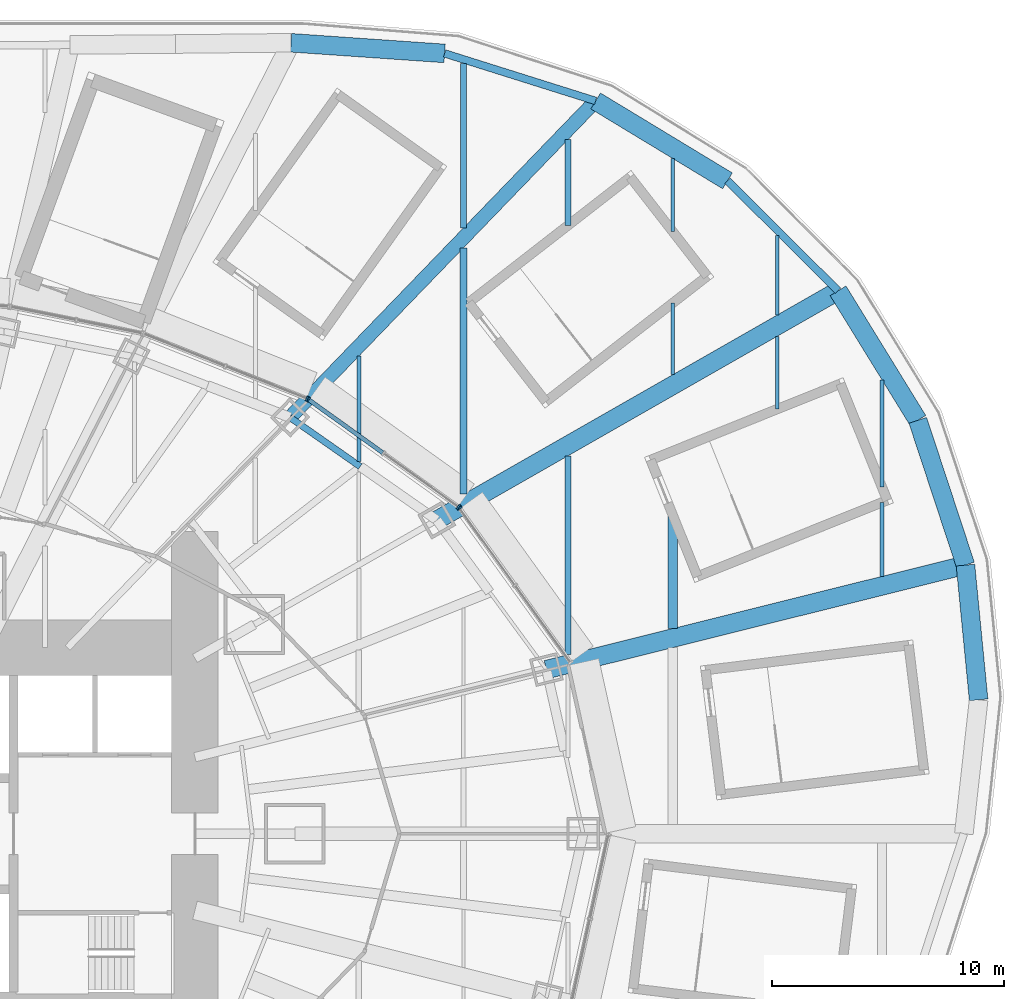
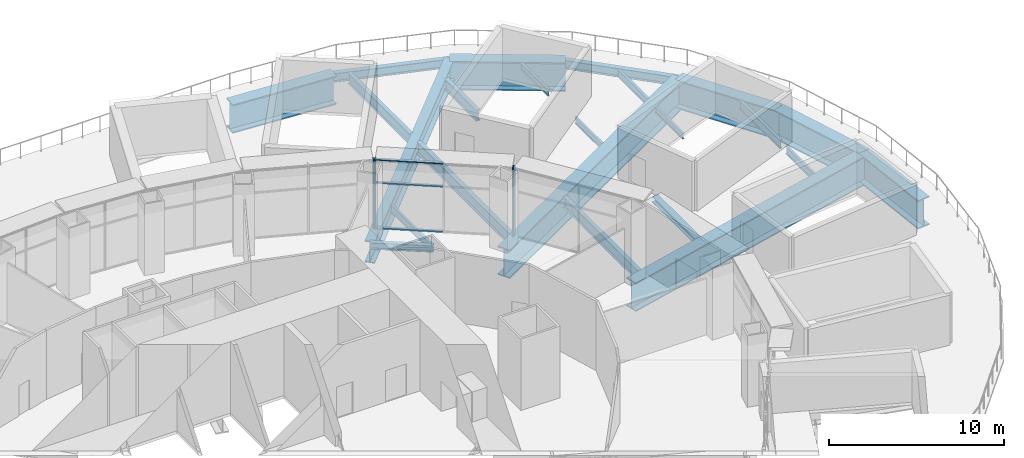
# One storey, part 12 of 25: 23 beams, 7 members, 3 elements without a shape of their own.
"""IFC4 building model written with IfcOpenShell, lengths in metres."""

from ifc_helpers import new_model, si_unit, direction, frame, origin, origin_2d, place, context, subcontext, project, spatial, rectangle, i_section, extrude, material, material_profile, profile_set, type_object, element, aggregate, save


model = new_model("IFC4")

# Units and contexts
model_context = context("Model", 3, precision=1e-05, world=origin(), true_north=direction((0.0, 1.0)))
body_context = subcontext(model_context, "Body", "Model", "MODEL_VIEW")
ifc_project = project(units=[si_unit("LENGTHUNIT", "METRE"), si_unit("AREAUNIT", "SQUARE_METRE"), si_unit("VOLUMEUNIT", "CUBIC_METRE"), si_unit("PLANEANGLEUNIT", "RADIAN"), si_unit("MASSUNIT", "GRAM", prefix="KILO")], contexts=[model_context])

# Site, building, storey
site_placement = place(None, origin())
site = spatial("IfcSite", under=ifc_project, at=site_placement, CompositionType="ELEMENT")
building_placement = place(site_placement, origin())
building = spatial("IfcBuilding", under=site, at=building_placement, Name="Lantaw Convention Tower", CompositionType="ELEMENT")
storey_placement = place(building_placement, frame((0.0, 0.0, 32.0)))
storey = spatial("IfcBuildingStorey", under=building, at=storey_placement, Name="L05", CompositionType="ELEMENT", Elevation=32.0)

# Beams
ifc_material_1 = material(Name="Steel ASTM A572 Grade 50", Category="steel")
ifc_material_profile_1 = material_profile(ifc_material_1, i_section(OverallWidth=0.800048828125, OverallDepth=2.0, WebThickness=0.030029296875, FlangeThickness=0.080078125, at=origin_2d()), Name="PG2000X800X30X80")
ifc_profile_set_1 = profile_set([ifc_material_profile_1], Name="Steel ASTM A572 Grade 50")
beam_type_1 = type_object("IfcBeamType", Name="Beam E PG2000X800X30X80", PredefinedType="SPANDREL", material=ifc_profile_set_1)
beam_1_placement = place(storey_placement, frame((46.907958984375, 5.759521484375, -1.199951171875), z_axis=(-0.097112121047, 0.995273447825, 0.0), x_axis=(-0.995273447825, -0.097112121047, 0.0)))
element("IfcBeam", 1, at=beam_1_placement, inside=storey, type_object=beam_type_1, Name="Podium edge beam B00", PredefinedType="SPANDREL", context=body_context, shape_type="SweptSolid", body=[
    extrude(i_section(OverallWidth=0.800048828125, OverallDepth=2.0, WebThickness=0.030029296875, FlangeThickness=0.080078125, at=origin_2d()), origin(), (0.0, 0.0, 1.0), 5.822509765625),
])
beam_2_placement = place(storey_placement, frame((46.342529296875, 11.554443359375, -1.199951171875), z_axis=(-0.312739573604, 0.949838912186, 0.0), x_axis=(-0.949838912186, -0.312739573604, 0.0)))
element("IfcBeam", 2, at=beam_2_placement, inside=storey, type_object=beam_type_1, Name="Podium edge beam R01", PredefinedType="SPANDREL", context=body_context, shape_type="SweptSolid", body=[
    extrude(i_section(OverallWidth=0.800048828125, OverallDepth=2.0, WebThickness=0.030029296875, FlangeThickness=0.080078125, at=origin_2d()), origin(), (0.0, 0.0, 1.0), 6.55517578125),
])
beam_3_placement = place(storey_placement, frame((44.29248046875, 17.78076171875, -1.199951171875), z_axis=(-0.524178644867, 0.851608330317, 0.0), x_axis=(-0.851608330317, -0.524178644867, 0.0)))
element("IfcBeam", 3, at=beam_3_placement, inside=storey, type_object=beam_type_1, Name="Podium edge beam B01", PredefinedType="SPANDREL", context=body_context, shape_type="SweptSolid", body=[
    extrude(i_section(OverallWidth=0.800048828125, OverallDepth=2.0, WebThickness=0.030029296875, FlangeThickness=0.080078125, at=origin_2d()), origin(), (0.0, 0.0, 1.0), 6.54052734375),
])
beam_4_placement = place(storey_placement, frame((36.107666015625, 28.081298828125, -1.199951171875), z_axis=(-0.855269526547, 0.518183400893, 0.0), x_axis=(-0.518183400893, -0.855269526547, 0.0)))
element("IfcBeam", 4, at=beam_4_placement, inside=storey, type_object=beam_type_1, Name="Podium edge beam B02", PredefinedType="SPANDREL", context=body_context, shape_type="SweptSolid", body=[
    extrude(i_section(OverallWidth=0.800048828125, OverallDepth=2.0, WebThickness=0.030029296875, FlangeThickness=0.080078125, at=origin_2d()), origin(), (0.0, 0.0, 1.0), 6.63134765625),
])
beam_5_placement = place(storey_placement, frame((23.940185546875, 33.562744140625, -1.199951171875), z_axis=(-0.997615470709, 0.069017190627, 0.0), x_axis=(-0.069017190627, -0.997615470709, 0.0)))
element("IfcBeam", 5, at=beam_5_placement, inside=storey, type_object=beam_type_1, Name="Podium edge beam B03", PredefinedType="SPANDREL", context=body_context, shape_type="SweptSolid", body=[
    extrude(i_section(OverallWidth=0.800048828125, OverallDepth=2.0, WebThickness=0.030029296875, FlangeThickness=0.080078125, at=origin_2d()), origin(), (0.0, 0.0, 1.0), 6.6220703125),
])
ifc_material_2 = material(Name="Steel ASTM A992", Category="steel")
ifc_material_profile_2 = material_profile(ifc_material_2, i_section(OverallWidth=0.279296875, OverallDepth=0.462158203125, WebThickness=0.0107421875, FlangeThickness=0.017333984375, FilletRadius=0.01025390625, at=origin_2d()), Name="W18X76")
ifc_profile_set_2 = profile_set([ifc_material_profile_2], Name="Steel ASTM A992")
beam_type_2 = type_object("IfcBeamType", Name="Beam E W18X76", PredefinedType="SPANDREL", material=ifc_profile_set_2)
beam_6_placement = place(storey_placement, frame((20.30859375, 15.794189453125, -0.43115234375), z_axis=(-0.819409395821, 0.573208724672, 0.0), x_axis=(-0.573208724672, -0.819409395821, 0.0)))
element("IfcBeam", 6, at=beam_6_placement, inside=storey, type_object=beam_type_2, Name="Edge beam 3", PredefinedType="SPANDREL", context=body_context, shape_type="SweptSolid", body=[
    extrude(i_section(OverallWidth=0.279296875, OverallDepth=0.462158203125, WebThickness=0.0107421875, FlangeThickness=0.017333984375, FilletRadius=0.01025390625, at=origin_2d()), origin(), (0.0, 0.0, 1.0), 3.682861328125),
])
ifc_material_profile_3 = material_profile(ifc_material_2, i_section(OverallWidth=0.3251953125, OverallDepth=0.612060546875, WebThickness=0.0126953125, FlangeThickness=0.01904296875, FilletRadius=0.0126953125, at=origin_2d()), Name="W24X104")
ifc_profile_set_3 = profile_set([ifc_material_profile_3], Name="Steel ASTM A992")
beam_type_3 = type_object("IfcBeamType", Name="Beam E W24X104", PredefinedType="SPANDREL", material=ifc_profile_set_3)
beam_7_placement = place(storey_placement, frame((40.864013671875, 23.350830078125, -0.506103515625), z_axis=(-0.709033046271, 0.705175254314, 0.0), x_axis=(-0.705175254314, -0.709033046271, 0.0)))
element("IfcBeam", 7, at=beam_7_placement, inside=storey, type_object=beam_type_3, Name="Podium edge beam R02", PredefinedType="SPANDREL", context=body_context, shape_type="SweptSolid", body=[
    extrude(i_section(OverallWidth=0.3251953125, OverallDepth=0.612060546875, WebThickness=0.0126953125, FlangeThickness=0.01904296875, FilletRadius=0.0126953125, at=origin_2d()), origin(), (0.0, 0.0, 1.0), 6.708251953125),
])
beam_8_placement = place(storey_placement, frame((30.43603515625, 31.517578125, -0.506103515625), z_axis=(-0.953841834513, 0.300309431643, 0.0), x_axis=(-0.300309431643, -0.953841834513, 0.0)))
element("IfcBeam", 8, at=beam_8_placement, inside=storey, type_object=beam_type_3, Name="Podium edge beam R03", PredefinedType="SPANDREL", context=body_context, shape_type="SweptSolid", body=[
    extrude(i_section(OverallWidth=0.3251953125, OverallDepth=0.612060546875, WebThickness=0.0126953125, FlangeThickness=0.01904296875, FilletRadius=0.0126953125, at=origin_2d()), origin(), (0.0, 0.0, 1.0), 6.810302734375),
])
ifc_material_profile_4 = material_profile(ifc_material_2, i_section(OverallWidth=0.40380859375, OverallDepth=0.406494140625, WebThickness=0.027099609375, FlangeThickness=0.043701171875, FilletRadius=0.01513671875, at=origin_2d()), Name="W14X233")
ifc_profile_set_4 = profile_set([ifc_material_profile_4], Name="Steel ASTM A992")
beam_type_4 = type_object("IfcBeamType", Name="Beam J W14X233", PredefinedType="JOIST", material=ifc_profile_set_4)
beam_9_placement = place(storey_placement, frame((33.75, 8.8271484375, -0.4033203125), z_axis=(0.0, 1.0, 0.0), x_axis=(-1.0, 0.0, 0.0)))
element("IfcBeam", 9, at=beam_9_placement, inside=storey, type_object=beam_type_4, Name="Floor joist", PredefinedType="JOIST", context=body_context, shape_type="SweptSolid", body=[
    extrude(i_section(OverallWidth=0.40380859375, OverallDepth=0.406494140625, WebThickness=0.027099609375, FlangeThickness=0.043701171875, FilletRadius=0.01513671875, at=origin_2d()), origin(), (0.0, 0.0, 1.0), 4.88330078125),
])
ifc_material_profile_5 = material_profile(ifc_material_2, i_section(OverallWidth=0.140380859375, OverallDepth=0.40380859375, WebThickness=0.007080078125, FlangeThickness=0.01123046875, FilletRadius=0.01025390625, at=origin_2d()), Name="W16X31")
ifc_profile_set_5 = profile_set([ifc_material_profile_5], Name="Steel ASTM A992")
beam_type_5 = type_object("IfcBeamType", Name="Beam J W16X31", PredefinedType="JOIST", material=ifc_profile_set_5)
beam_10_placement = place(storey_placement, frame((38.25, 18.264404296875, -0.40185546875), z_axis=(0.0, 1.0, 0.0), x_axis=(-1.0, 0.0, 0.0)))
element("IfcBeam", 10, at=beam_10_placement, inside=storey, type_object=beam_type_5, Name="Floor joist", PredefinedType="JOIST", context=body_context, shape_type="SweptSolid", body=[
    extrude(i_section(OverallWidth=0.140380859375, OverallDepth=0.40380859375, WebThickness=0.007080078125, FlangeThickness=0.01123046875, FilletRadius=0.01025390625, at=origin_2d()), origin(), (0.0, 0.0, 1.0), 3.132080078125),
])
ifc_material_profile_6 = material_profile(ifc_material_2, i_section(OverallWidth=0.15234375, OverallDepth=0.449462890625, WebThickness=0.007568359375, FlangeThickness=0.0107421875, FilletRadius=0.01025390625, at=origin_2d()), Name="W18X35")
ifc_profile_set_6 = profile_set([ifc_material_profile_6], Name="Steel ASTM A992")
beam_type_6 = type_object("IfcBeamType", Name="Beam J W18X35", PredefinedType="JOIST", material=ifc_profile_set_6)
beam_11_placement = place(storey_placement, frame((33.75, 19.746337890625, -0.4248046875), z_axis=(0.0, 1.0, 0.0), x_axis=(-1.0, 0.0, 0.0)))
element("IfcBeam", 11, at=beam_11_placement, inside=storey, type_object=beam_type_6, Name="Floor joist", PredefinedType="JOIST", context=body_context, shape_type="SweptSolid", body=[
    extrude(i_section(OverallWidth=0.15234375, OverallDepth=0.449462890625, WebThickness=0.007568359375, FlangeThickness=0.0107421875, FilletRadius=0.01025390625, at=origin_2d()), origin(), (0.0, 0.0, 1.0), 3.080810546875),
])
beam_12_placement = place(storey_placement, frame((33.75, 25.900390625, -0.4248046875), z_axis=(0.0, 1.0, 0.0), x_axis=(-1.0, 0.0, 0.0)))
element("IfcBeam", 12, at=beam_12_placement, inside=storey, type_object=beam_type_6, Name="Floor joist", PredefinedType="JOIST", context=body_context, shape_type="SweptSolid", body=[
    extrude(i_section(OverallWidth=0.15234375, OverallDepth=0.449462890625, WebThickness=0.007568359375, FlangeThickness=0.0107421875, FilletRadius=0.01025390625, at=origin_2d()), origin(), (0.0, 0.0, 1.0), 3.1416015625),
])
ifc_material_profile_7 = material_profile(ifc_material_2, i_section(OverallWidth=0.1650390625, OverallDepth=0.52587890625, WebThickness=0.0087890625, FlangeThickness=0.011474609375, FilletRadius=0.0126953125, at=origin_2d()), Name="W21X44")
ifc_profile_set_7 = profile_set([ifc_material_profile_7], Name="Steel ASTM A992")
beam_type_7 = type_object("IfcBeamType", Name="Beam J W21X44", PredefinedType="JOIST", material=ifc_profile_set_7)
beam_13_placement = place(storey_placement, frame((20.25, 16.005859375, -0.462890625), z_axis=(0.0, 1.0, 0.0), x_axis=(-1.0, 0.0, 0.0)))
element("IfcBeam", 13, at=beam_13_placement, inside=storey, type_object=beam_type_7, Name="Floor joist", PredefinedType="JOIST", context=body_context, shape_type="SweptSolid", body=[
    extrude(i_section(OverallWidth=0.1650390625, OverallDepth=0.52587890625, WebThickness=0.0087890625, FlangeThickness=0.011474609375, FilletRadius=0.0126953125, at=origin_2d()), origin(), (0.0, 0.0, 1.0), 4.53173828125),
])
beam_14_placement = place(storey_placement, frame((38.25, 22.31787109375, -0.462890625), z_axis=(0.0, 1.0, 0.0), x_axis=(-1.0, 0.0, 0.0)))
element("IfcBeam", 14, at=beam_14_placement, inside=storey, type_object=beam_type_7, Name="Floor joist", PredefinedType="JOIST", context=body_context, shape_type="SweptSolid", body=[
    extrude(i_section(OverallWidth=0.1650390625, OverallDepth=0.52587890625, WebThickness=0.0087890625, FlangeThickness=0.011474609375, FilletRadius=0.0126953125, at=origin_2d()), origin(), (0.0, 0.0, 1.0), 3.403564453125),
])
beam_15_placement = place(storey_placement, frame((42.75, 11.071044921875, -0.462890625), z_axis=(0.0, 1.0, 0.0), x_axis=(-1.0, 0.0, 0.0)))
element("IfcBeam", 15, at=beam_15_placement, inside=storey, type_object=beam_type_7, Name="Floor joist", PredefinedType="JOIST", context=body_context, shape_type="SweptSolid", body=[
    extrude(i_section(OverallWidth=0.1650390625, OverallDepth=0.52587890625, WebThickness=0.0087890625, FlangeThickness=0.011474609375, FilletRadius=0.0126953125, at=origin_2d()), origin(), (0.0, 0.0, 1.0), 3.18115234375),
])
ifc_material_profile_8 = material_profile(ifc_material_2, i_section(OverallWidth=0.177978515625, OverallDepth=0.599365234375, WebThickness=0.010009765625, FlangeThickness=0.012939453125, FilletRadius=0.012939453125, at=origin_2d()), Name="W24X55")
ifc_profile_set_8 = profile_set([ifc_material_profile_8], Name="Steel ASTM A992")
beam_type_8 = type_object("IfcBeamType", Name="Beam J W24X55", PredefinedType="JOIST", material=ifc_profile_set_8)
beam_16_placement = place(storey_placement, frame((42.75, 14.91259765625, -0.499755859375), z_axis=(0.0, 1.0, 0.0), x_axis=(-1.0, 0.0, 0.0)))
element("IfcBeam", 16, at=beam_16_placement, inside=storey, type_object=beam_type_8, Name="Floor joist", PredefinedType="JOIST", context=body_context, shape_type="SweptSolid", body=[
    extrude(i_section(OverallWidth=0.177978515625, OverallDepth=0.599365234375, WebThickness=0.010009765625, FlangeThickness=0.012939453125, FilletRadius=0.012939453125, at=origin_2d()), origin(), (0.0, 0.0, 1.0), 4.611083984375),
])
ifc_material_profile_9 = material_profile(ifc_material_2, i_section(OverallWidth=0.2666015625, OverallDepth=0.7568359375, WebThickness=0.013916015625, FlangeThickness=0.019287109375, FilletRadius=0.0126953125, at=origin_2d()), Name="W30X108")
ifc_profile_set_9 = profile_set([ifc_material_profile_9], Name="Steel ASTM A992")
beam_type_9 = type_object("IfcBeamType", Name="Beam J W30X108", PredefinedType="JOIST", material=ifc_profile_set_9)
beam_17_placement = place(storey_placement, frame((24.75, 26.061279296875, -0.578369140625), z_axis=(0.0, 1.0, 0.0), x_axis=(-1.0, 0.0, 0.0)))
element("IfcBeam", 17, at=beam_17_placement, inside=storey, type_object=beam_type_9, Name="Floor joist", PredefinedType="JOIST", context=body_context, shape_type="SweptSolid", body=[
    extrude(i_section(OverallWidth=0.2666015625, OverallDepth=0.7568359375, WebThickness=0.013916015625, FlangeThickness=0.019287109375, FilletRadius=0.0126953125, at=origin_2d()), origin(), (0.0, 0.0, 1.0), 7.076171875),
])
beam_18_placement = place(storey_placement, frame((29.25, 7.705078125, -0.578369140625), z_axis=(0.0, 1.0, 0.0), x_axis=(-1.0, 0.0, 0.0)))
element("IfcBeam", 18, at=beam_18_placement, inside=storey, type_object=beam_type_9, Name="Floor joist", PredefinedType="JOIST", context=body_context, shape_type="SweptSolid", body=[
    extrude(i_section(OverallWidth=0.2666015625, OverallDepth=0.7568359375, WebThickness=0.013916015625, FlangeThickness=0.019287109375, FilletRadius=0.0126953125, at=origin_2d()), origin(), (0.0, 0.0, 1.0), 8.548583984375),
])
ifc_material_profile_10 = material_profile(ifc_material_2, i_section(OverallWidth=0.2666015625, OverallDepth=0.76953125, WebThickness=0.015625, FlangeThickness=0.025390625, FilletRadius=0.0126953125, at=origin_2d()), Name="W30X132")
ifc_profile_set_10 = profile_set([ifc_material_profile_10], Name="Steel ASTM A992")
beam_type_10 = type_object("IfcBeamType", Name="Beam J W30X132", PredefinedType="JOIST", material=ifc_profile_set_10)
beam_19_placement = place(storey_placement, frame((29.25, 26.16845703125, -0.584716796875), z_axis=(0.0, 1.0, 0.0), x_axis=(-1.0, 0.0, 0.0)))
element("IfcBeam", 19, at=beam_19_placement, inside=storey, type_object=beam_type_10, Name="Floor joist", PredefinedType="JOIST", context=body_context, shape_type="SweptSolid", body=[
    extrude(i_section(OverallWidth=0.2666015625, OverallDepth=0.76953125, WebThickness=0.015625, FlangeThickness=0.025390625, FilletRadius=0.0126953125, at=origin_2d()), origin(), (0.0, 0.0, 1.0), 3.68896484375),
])
ifc_material_profile_11 = material_profile(ifc_material_2, i_section(OverallWidth=0.2919921875, OverallDepth=0.845703125, WebThickness=0.015380859375, FlangeThickness=0.0244140625, FilletRadius=0.01513671875, at=origin_2d()), Name="W33X141")
ifc_profile_set_11 = profile_set([ifc_material_profile_11], Name="Steel ASTM A992")
beam_type_11 = type_object("IfcBeamType", Name="Beam J W33X141", PredefinedType="JOIST", material=ifc_profile_set_11)
beam_20_placement = place(storey_placement, frame((24.75, 14.603515625, -0.622802734375), z_axis=(0.0, 1.0, 0.0), x_axis=(-1.0, 0.0, 0.0)))
element("IfcBeam", 20, at=beam_20_placement, inside=storey, type_object=beam_type_11, Name="Floor joist", PredefinedType="JOIST", context=body_context, shape_type="SweptSolid", body=[
    extrude(i_section(OverallWidth=0.2919921875, OverallDepth=0.845703125, WebThickness=0.015380859375, FlangeThickness=0.0244140625, FilletRadius=0.01513671875, at=origin_2d()), origin(), (0.0, 0.0, 1.0), 10.593994140625),
])
ifc_material_profile_12 = material_profile(ifc_material_1, i_section(OverallWidth=0.60009765625, OverallDepth=1.5, WebThickness=0.02490234375, FlangeThickness=0.06005859375, at=origin_2d()), Name="PG1500X600X25X60")
ifc_profile_set_12 = profile_set([ifc_material_profile_12], Name="Steel ASTM A572 Grade 50")
beam_type_12 = type_object("IfcBeamType", Name="Beam PG PG1500X600X25X60", PredefinedType="BEAM", material=ifc_profile_set_12)
beam_21_placement = place(storey_placement, frame((17.290771484375, 17.9052734375, -0.949951171875), z_axis=(0.694658748795, 0.719339434984, 0.0), x_axis=(-0.719339434984, 0.694658748795, 0.0)))
element("IfcBeam", 21, at=beam_21_placement, inside=storey, type_object=beam_type_12, Name="Podium girder PR04", PredefinedType="BEAM", context=body_context, shape_type="SweptSolid", body=[
    extrude(i_section(OverallWidth=0.60009765625, OverallDepth=1.5, WebThickness=0.02490234375, FlangeThickness=0.06005859375, at=origin_2d()), origin(), (0.0, 0.0, 1.0), 18.92333984375),
])
ifc_material_profile_13 = material_profile(ifc_material_1, i_section(OverallWidth=0.800048828125, OverallDepth=2.0, WebThickness=0.030029296875, FlangeThickness=0.080078125, at=origin_2d()), Name="PG2000X800X30X80")
ifc_profile_set_13 = profile_set([ifc_material_profile_13], Name="Steel ASTM A572 Grade 50")
beam_type_13 = type_object("IfcBeamType", Name="Beam PG PG2000X800X30X80", PredefinedType="BEAM", material=ifc_profile_set_13)
beam_22_placement = place(storey_placement, frame((28.31787109375, 7.060302734375, -1.199951171875), z_axis=(0.970294606785, 0.24192638559, 0.0), x_axis=(-0.24192638559, 0.970294606785, 0.0)))
element("IfcBeam", 22, at=beam_22_placement, inside=storey, type_object=beam_type_13, Name="Podium girder PR02", PredefinedType="BEAM", context=body_context, shape_type="SweptSolid", body=[
    extrude(i_section(OverallWidth=0.800048828125, OverallDepth=2.0, WebThickness=0.030029296875, FlangeThickness=0.080078125, at=origin_2d()), origin(), (0.0, 0.0, 1.0), 18.576416015625),
])
beam_23_placement = place(storey_placement, frame((23.60498046875, 13.488525390625, -1.199951171875), z_axis=(0.868243142124, 0.496138938357, 0.0), x_axis=(-0.496138938357, 0.868243142124, 0.0)))
element("IfcBeam", 23, at=beam_23_placement, inside=storey, type_object=beam_type_13, Name="Podium girder PR03", PredefinedType="BEAM", context=body_context, shape_type="SweptSolid", body=[
    extrude(i_section(OverallWidth=0.800048828125, OverallDepth=2.0, WebThickness=0.030029296875, FlangeThickness=0.080078125, at=origin_2d()), origin(), (0.0, 0.0, 1.0), 19.878173828125),
])

# Curtain wall, member
ifc_material_3 = material(Name="Aluminium framed curtain wall", Category="aluminium")
curtain_wall_type = type_object("IfcCurtainWallType", Name="Sky lobby curtain wall L05, pale aluminium", PredefinedType="USERDEFINED", material=ifc_material_3)
curtain_wall_1_placement = place(storey_placement, origin())
curtain_wall_1 = element("IfcCurtainWall", 24, at=curtain_wall_1_placement, inside=storey, type_object=curtain_wall_type, Name="Sky lobby curtain wall L05, pale aluminium L05", ObjectType="STICK CURTAIN WALL", PredefinedType="USERDEFINED")
ifc_material_4 = material(Name="Aluminium 6063-T6", Category="aluminium")
ifc_material_profile_14 = material_profile(ifc_material_4, rectangle(XDim=0.22509765625, YDim=0.074951171875, at=origin_2d()), Name="CW-HL mullion 75x225")
ifc_profile_set_14 = profile_set([ifc_material_profile_14], Name="Aluminium 6063-T6")
member_type_1 = type_object("IfcMemberType", Name="CW-HL mullion 75x225", PredefinedType="MULLION", material=ifc_profile_set_14)
member_1_placement = place(storey_placement, frame((24.581787109375, 14.00390625, 0.0), z_axis=(0.0, 0.0, 1.0), x_axis=(-0.811788726895, -0.583951250436, 0.0)))
member_1 = element("IfcMember", 25, at=member_1_placement, type_object=member_type_1, Name="CW-HL mullion 3", PredefinedType="MULLION", context=body_context, shape_type="SweptSolid", body=[
    extrude(rectangle(XDim=0.22509765625, YDim=0.074951171875, at=origin_2d()), origin(), (0.0, 0.0, 1.0), 4.85009765625),
])
aggregate(curtain_wall_1, [member_1])

# Curtain wall, members
curtain_wall_2_placement = place(storey_placement, origin())
curtain_wall_2 = element("IfcCurtainWall", 26, at=curtain_wall_2_placement, inside=storey, type_object=curtain_wall_type, Name="Sky lobby curtain wall L05, pale aluminium L05", ObjectType="STICK CURTAIN WALL", PredefinedType="USERDEFINED")
member_2_placement = place(storey_placement, frame((24.529541015625, 14.05615234375, 0.0), z_axis=(0.0, 0.0, 1.0), x_axis=(-0.5825376308, -0.812803733199, 0.0)))
member_2 = element("IfcMember", 27, at=member_2_placement, type_object=member_type_1, Name="CW-HL mullion 1", PredefinedType="MULLION", context=body_context, shape_type="SweptSolid", body=[
    extrude(rectangle(XDim=0.22509765625, YDim=0.074951171875, at=origin_2d()), origin(), (0.0, 0.0, 1.0), 4.85009765625),
])
member_3_placement = place(storey_placement, frame((18.08544921875, 18.674560546875, 0.0), z_axis=(0.0, 0.0, 1.0), x_axis=(-0.5825376308, -0.812803733199, 0.0)))
member_3 = element("IfcMember", 28, at=member_3_placement, type_object=member_type_1, Name="CW-HL mullion 3", PredefinedType="MULLION", context=body_context, shape_type="SweptSolid", body=[
    extrude(rectangle(XDim=0.22509765625, YDim=0.074951171875, at=origin_2d()), origin(), (0.0, 0.0, 1.0), 4.85009765625),
])

# Curtain wall, member
curtain_wall_3_placement = place(storey_placement, origin())
curtain_wall_3 = element("IfcCurtainWall", 29, at=curtain_wall_3_placement, inside=storey, type_object=curtain_wall_type, Name="Sky lobby curtain wall L05, pale aluminium L05", ObjectType="STICK CURTAIN WALL", PredefinedType="USERDEFINED")
member_4_placement = place(storey_placement, frame((18.02001953125, 18.710205078125, 0.0), z_axis=(0.0, 0.0, 1.0), x_axis=(-0.369171840425, -0.929361152748, 0.0)))
member_4 = element("IfcMember", 30, at=member_4_placement, type_object=member_type_1, Name="CW-HL mullion 1", PredefinedType="MULLION", context=body_context, shape_type="SweptSolid", body=[
    extrude(rectangle(XDim=0.22509765625, YDim=0.074951171875, at=origin_2d()), origin(), (0.0, 0.0, 1.0), 4.85009765625),
])
aggregate(curtain_wall_3, [member_4])

# Member
ifc_material_profile_15 = material_profile(ifc_material_4, rectangle(XDim=0.179931640625, YDim=0.074951171875, at=origin_2d()), Name="CW-HL transom 75x180")
ifc_profile_set_15 = profile_set([ifc_material_profile_15], Name="Aluminium 6063-T6")
member_type_2 = type_object("IfcMemberType", Name="CW-HL transom 75x180", PredefinedType="USERDEFINED", material=ifc_profile_set_15)
member_5_placement = place(storey_placement, frame((21.277099609375, 16.38720703125, 0.03759765625), z_axis=(-0.812799293767, 0.582543825005, 0.0), x_axis=(-0.582543825005, -0.812799293767, 0.0)))
member_5 = element("IfcMember", 31, at=member_5_placement, type_object=member_type_2, Name="CW-HL transom 2.1", ObjectType="TRANSOM", PredefinedType="USERDEFINED", context=body_context, shape_type="SweptSolid", body=[
    extrude(rectangle(XDim=0.179931640625, YDim=0.074951171875, at=origin_2d()), origin(), (0.0, 0.0, 1.0), 3.88916015625),
])

member_6_placement = place(storey_placement, frame((21.277099609375, 16.38720703125, 3.199951171875), z_axis=(-0.812799293767, 0.582543825005, 0.0), x_axis=(-0.582543825005, -0.812799293767, 0.0)))
member_6 = element("IfcMember", 32, at=member_6_placement, type_object=member_type_2, Name="CW-HL transom 2.2", ObjectType="TRANSOM", PredefinedType="USERDEFINED", context=body_context, shape_type="SweptSolid", body=[
    extrude(rectangle(XDim=0.179931640625, YDim=0.074951171875, at=origin_2d()), origin(), (0.0, 0.0, 1.0), 3.88916015625),
])

member_7_placement = place(storey_placement, frame((21.277099609375, 16.38720703125, 4.8125), z_axis=(-0.812799293767, 0.582543825005, 0.0), x_axis=(-0.582543825005, -0.812799293767, 0.0)))
member_7 = element("IfcMember", 33, at=member_7_placement, type_object=member_type_2, Name="CW-HL transom 2.3", ObjectType="TRANSOM", PredefinedType="USERDEFINED", context=body_context, shape_type="SweptSolid", body=[
    extrude(rectangle(XDim=0.179931640625, YDim=0.074951171875, at=origin_2d()), origin(), (0.0, 0.0, 1.0), 3.88916015625),
])

aggregate(curtain_wall_2, [member_2, member_3, member_5, member_6, member_7])

save(model, "model.ifc")
